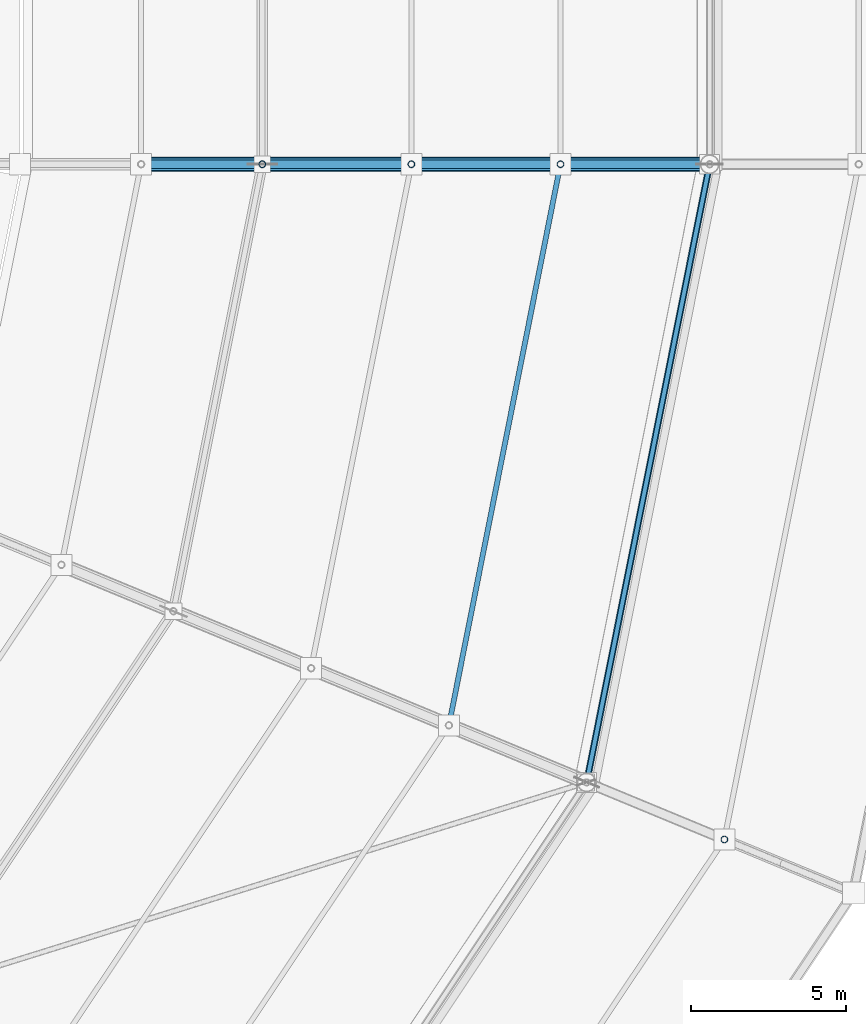
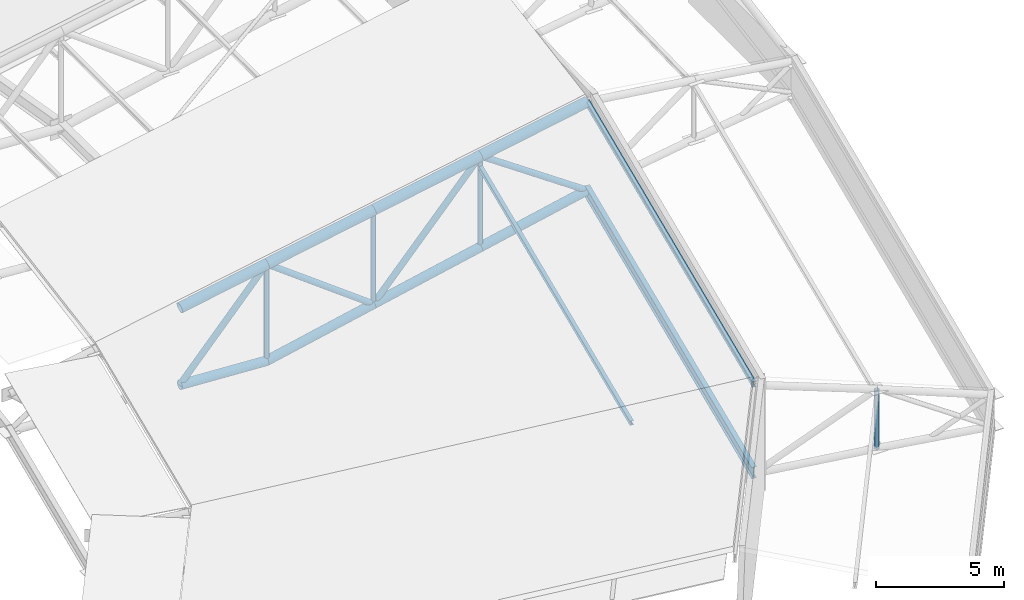
# One storey, part 71 of 146: 17 members, 2 beams.
"""IFC4 building model written with IfcOpenShell, lengths in metres."""

from ifc_helpers import new_model, si_unit, direction, frame, origin, origin_2d, place, context, subcontext, project, spatial, hollow_circle, i_section, extrude, material, material_profile, profile_set, type_object, element, save


model = new_model("IFC4")

# Units and contexts
model_context = context("Model", 3, precision=1e-05, world=origin(), true_north=direction((0.0, 1.0)))
body_context = subcontext(model_context, "Body", "Model", "MODEL_VIEW")
ifc_project = project(units=[si_unit("LENGTHUNIT", "METRE"), si_unit("AREAUNIT", "SQUARE_METRE"), si_unit("VOLUMEUNIT", "CUBIC_METRE"), si_unit("PLANEANGLEUNIT", "RADIAN"), si_unit("MASSUNIT", "GRAM", prefix="KILO")], contexts=[model_context])

# Site, building, storey
site_placement = place(None, origin())
site = spatial("IfcSite", under=ifc_project, at=site_placement, CompositionType="ELEMENT")
building_placement = place(site_placement, origin())
building = spatial("IfcBuilding", under=site, at=building_placement, Name="Candeia Ridge Stadium", CompositionType="ELEMENT")
storey_placement = place(building_placement, frame((0.0, 0.0, 31.800048828125)))
storey = spatial("IfcBuildingStorey", under=building, at=storey_placement, Name="RF", CompositionType="ELEMENT", Elevation=31.800048828125)

# Beams
ifc_material = material(Name="Steel ASTM A572 Grade 50", Category="steel")
ifc_material_profile_1 = material_profile(ifc_material, i_section(OverallWidth=0.14794921875, OverallDepth=0.26611328125, WebThickness=0.007568359375, FlangeThickness=0.012939453125, FilletRadius=0.010986328125, at=origin_2d()), Name="W250x44.8", Category="steel")
ifc_profile_set_1 = profile_set([ifc_material_profile_1], Name="Steel ASTM A572 Grade 50")
beam_type_1 = type_object("IfcBeamType", Name="Canopy Edge Spandrel W250x44.8", PredefinedType="SPANDREL", material=ifc_profile_set_1)
beam_1_placement = place(storey_placement, frame((189.049560546875, 51.1396484375, 4.599853515625), z_axis=(0.195089178874, 0.980785507788, 0.0), x_axis=(-0.980785507788, 0.195089178874, 0.0)))
element("IfcBeam", 1, at=beam_1_placement, inside=storey, type_object=beam_type_1, Name="Roof crown cap ring beam bay 29", PredefinedType="SPANDREL", context=body_context, shape_type="SweptSolid", body=[
    extrude(i_section(OverallWidth=0.14794921875, OverallDepth=0.26611328125, WebThickness=0.007568359375, FlangeThickness=0.012939453125, FilletRadius=0.010986328125, at=origin_2d()), origin(), (0.0, 0.0, 1.0), 20.20947265625),
])
ifc_material_profile_2 = material_profile(ifc_material, i_section(OverallWidth=0.2119140625, OverallDepth=0.5439453125, WebThickness=0.01318359375, FlangeThickness=0.021240234375, FilletRadius=0.013916015625, at=origin_2d()), Name="W530x123", Category="steel")
ifc_profile_set_2 = profile_set([ifc_material_profile_2], Name="Steel ASTM A572 Grade 50")
beam_type_2 = type_object("IfcBeamType", Name="Roof Perimeter Ring Beam W530x123", PredefinedType="BEAM", material=ifc_profile_set_2)
beam_2_placement = place(storey_placement, frame((189.049560546875, 51.1396484375, 0.39990234375), z_axis=(0.195089178874, 0.980785507788, 0.0), x_axis=(-0.980785507788, 0.195089178874, 0.0)))
element("IfcBeam", 2, at=beam_2_placement, inside=storey, type_object=beam_type_2, Name="Roof perimeter ring beam bay 29", PredefinedType="BEAM", context=body_context, shape_type="SweptSolid", body=[
    extrude(i_section(OverallWidth=0.2119140625, OverallDepth=0.5439453125, WebThickness=0.01318359375, FlangeThickness=0.021240234375, FilletRadius=0.013916015625, at=origin_2d()), origin(), (0.0, 0.0, 1.0), 20.20947265625),
])

# Members
ifc_material_profile_3 = material_profile(ifc_material, i_section(OverallWidth=0.1650390625, OverallDepth=0.200927734375, WebThickness=0.006103515625, FlangeThickness=0.01025390625, FilletRadius=0.010009765625, at=origin_2d()), Name="W200x35.9", Category="steel")
ifc_profile_set_3 = profile_set([ifc_material_profile_3], Name="Steel ASTM A572 Grade 50")
member_type_1 = type_object("IfcMemberType", Name="Roof Purlin W200x35.9", PredefinedType="PURLIN", material=ifc_profile_set_3)
member_1_placement = place(storey_placement, frame((184.616943359375, 52.986328125, 3.19189453125), z_axis=(0.19508302995, 0.980786730857, 0.0), x_axis=(-0.980786730857, 0.19508302995, 0.0)))
element("IfcMember", 3, at=member_1_placement, inside=storey, type_object=member_type_1, Name="Saddle roof steel purlin bay 29-4", PredefinedType="PURLIN", context=body_context, shape_type="SweptSolid", body=[
    extrude(i_section(OverallWidth=0.1650390625, OverallDepth=0.200927734375, WebThickness=0.006103515625, FlangeThickness=0.01025390625, FilletRadius=0.010009765625, at=origin_2d()), origin(), (0.0, 0.0, 1.0), 18.31640625),
])
ifc_material_profile_4 = material_profile(ifc_material, hollow_circle(Radius=0.136474609375, WallThickness=0.010009765625, at=origin_2d()), Name="CHS273x10", Category="steel")
ifc_profile_set_4 = profile_set([ifc_material_profile_4], Name="Steel ASTM A572 Grade 50")
member_type_2 = type_object("IfcMemberType", Name="Roof Truss Heavy Web Brace CHS273x10", PredefinedType="BRACE", material=ifc_profile_set_4)
member_2_placement = place(storey_placement, frame((174.699951171875, 71.0, -2.444091796875), z_axis=(0.665001791652, 0.0, 0.746841761754), x_axis=(0.0, 1.0, 0.0)))
element("IfcMember", 4, at=member_2_placement, inside=storey, type_object=member_type_2, Name="Roof cantilever truss RT-30 diagonal web 3", PredefinedType="BRACE", context=body_context, shape_type="SweptSolid", body=[
    extrude(hollow_circle(Radius=0.136474609375, WallThickness=0.010009765625, at=origin_2d()), origin(), (0.0, 0.0, 1.0), 5.86474609375),
])
member_3_placement = place(storey_placement, frame((178.60009765625, 71.0, 1.93603515625), z_axis=(0.801680135344, 0.0, -0.597753260631), x_axis=(0.0, 1.0, 0.0)))
element("IfcMember", 5, at=member_3_placement, inside=storey, type_object=member_type_2, Name="Roof cantilever truss RT-30 diagonal web 4", PredefinedType="BRACE", context=body_context, shape_type="SweptSolid", body=[
    extrude(hollow_circle(Radius=0.136474609375, WallThickness=0.010009765625, at=origin_2d()), origin(), (0.0, 0.0, 1.0), 5.987060546875),
])
member_4_placement = place(storey_placement, frame((183.39990234375, 71.0, -1.642822265625), z_axis=(0.667487252066, 0.0, 0.744621224737), x_axis=(0.0, 1.0, 0.0)))
element("IfcMember", 6, at=member_4_placement, inside=storey, type_object=member_type_2, Name="Roof cantilever truss RT-30 diagonal web 5", PredefinedType="BRACE", context=body_context, shape_type="SweptSolid", body=[
    extrude(hollow_circle(Radius=0.136474609375, WallThickness=0.010009765625, at=origin_2d()), origin(), (0.0, 0.0, 1.0), 7.191162109375),
])
member_5_placement = place(storey_placement, frame((188.199951171875, 71.0, 3.7119140625), z_axis=(0.823081876777, 0.0, -0.567922727245), x_axis=(0.0, 1.0, 0.0)))
element("IfcMember", 7, at=member_5_placement, inside=storey, type_object=member_type_2, Name="Roof cantilever truss RT-30 diagonal web 6", PredefinedType="BRACE", context=body_context, shape_type="SweptSolid", body=[
    extrude(hollow_circle(Radius=0.136474609375, WallThickness=0.010009765625, at=origin_2d()), origin(), (0.0, 0.0, 1.0), 5.831787109375),
])
ifc_material_profile_5 = material_profile(ifc_material, hollow_circle(Radius=0.109619140625, WallThickness=0.010009765625, at=origin_2d()), Name="CHS219x10", Category="steel")
ifc_profile_set_5 = profile_set([ifc_material_profile_5], Name="Steel ASTM A572 Grade 50")
member_type_3 = type_object("IfcMemberType", Name="Roof Truss Inner Web Brace CHS219x10", PredefinedType="BRACE", material=ifc_profile_set_5)
member_6_placement = place(storey_placement, frame((193.476318359375, 49.263671875, 1.15185546875), z_axis=(0.0, 0.0, 1.0), x_axis=(1.0, 0.0, 0.0)))
element("IfcMember", 8, at=member_6_placement, inside=storey, type_object=member_type_3, Name="Roof cantilever truss RT-29 vertical post 7", PredefinedType="BRACE", context=body_context, shape_type="SweptSolid", body=[
    extrude(hollow_circle(Radius=0.109619140625, WallThickness=0.010009765625, at=origin_2d()), origin(), (0.0, 0.0, 1.0), 2.806396484375),
])
member_7_placement = place(storey_placement, frame((178.60009765625, 71.0, -2.6640625), z_axis=(0.0, 0.0, 1.0), x_axis=(1.0, 0.0, 0.0)))
element("IfcMember", 9, at=member_7_placement, inside=storey, type_object=member_type_3, Name="Roof cantilever truss RT-30 vertical post 3", PredefinedType="BRACE", context=body_context, shape_type="SweptSolid", body=[
    extrude(hollow_circle(Radius=0.109619140625, WallThickness=0.010009765625, at=origin_2d()), origin(), (0.0, 0.0, 1.0), 4.60009765625),
])
member_8_placement = place(storey_placement, frame((183.39990234375, 71.0, -1.642822265625), z_axis=(0.0, 0.0, 1.0), x_axis=(1.0, 0.0, 0.0)))
element("IfcMember", 10, at=member_8_placement, inside=storey, type_object=member_type_3, Name="Roof cantilever truss RT-30 vertical post 4", PredefinedType="BRACE", context=body_context, shape_type="SweptSolid", body=[
    extrude(hollow_circle(Radius=0.109619140625, WallThickness=0.010009765625, at=origin_2d()), origin(), (0.0, 0.0, 1.0), 4.466796875),
])
member_9_placement = place(storey_placement, frame((188.199951171875, 71.0, -0.621337890625), z_axis=(0.0, 0.0, 1.0), x_axis=(1.0, 0.0, 0.0)))
element("IfcMember", 11, at=member_9_placement, inside=storey, type_object=member_type_3, Name="Roof cantilever truss RT-30 vertical post 5", PredefinedType="BRACE", context=body_context, shape_type="SweptSolid", body=[
    extrude(hollow_circle(Radius=0.109619140625, WallThickness=0.010009765625, at=origin_2d()), origin(), (0.0, 0.0, 1.0), 4.333251953125),
])
ifc_material_profile_6 = material_profile(ifc_material, hollow_circle(Radius=0.228515625, WallThickness=0.02001953125, at=origin_2d()), Name="CHS457x20", Category="steel")
ifc_profile_set_6 = profile_set([ifc_material_profile_6], Name="Steel ASTM A572 Grade 50")
member_type_4 = type_object("IfcMemberType", Name="Roof Truss Main Chord CHS457x20", PredefinedType="CHORD", material=ifc_profile_set_6)
member_10_placement = place(storey_placement, frame((174.699951171875, 71.0, 1.21435546875), z_axis=(0.983307710254, 0.0, 0.181950396965), x_axis=(0.0, 1.0, 0.0)))
element("IfcMember", 12, at=member_10_placement, inside=storey, type_object=member_type_4, Name="Roof cantilever truss RT-30 top chord 3", PredefinedType="CHORD", context=body_context, shape_type="SweptSolid", body=[
    extrude(hollow_circle(Radius=0.228515625, WallThickness=0.02001953125, at=origin_2d()), origin(), (0.0, 0.0, 1.0), 3.96630859375),
])
member_11_placement = place(storey_placement, frame((178.60009765625, 71.0, 1.93603515625), z_axis=(0.983315487156, 0.0, 0.181908363519), x_axis=(0.0, 1.0, 0.0)))
element("IfcMember", 13, at=member_11_placement, inside=storey, type_object=member_type_4, Name="Roof cantilever truss RT-30 top chord 4", PredefinedType="CHORD", context=body_context, shape_type="SweptSolid", body=[
    extrude(hollow_circle(Radius=0.228515625, WallThickness=0.02001953125, at=origin_2d()), origin(), (0.0, 0.0, 1.0), 4.88134765625),
])
for number, where, z_axis, x_axis, name in (
    (14, (183.39990234375, 71.0, 2.823974609375), (0.983317142098, 0.0, 0.181899417416), (0.0, 1.0, 0.0), "Roof cantilever truss RT-30 top chord 5"),
    (15, (188.199951171875, 71.0, 3.7119140625), (0.983317142098, 0.0, 0.181899417416), (0.0, 1.0, 0.0), "Roof cantilever truss RT-30 top chord 6"),
):
    element("IfcMember", number, at=place(storey_placement, frame(where, z_axis=z_axis, x_axis=x_axis)), inside=storey, type_object=member_type_4, Name=name, PredefinedType="CHORD", context=body_context, shape_type="SweptSolid", body=[
        extrude(hollow_circle(Radius=0.228515625, WallThickness=0.02001953125, at=origin_2d()), origin(), (0.0, 0.0, 1.0), 4.881591796875),
    ])
ifc_material_profile_7 = material_profile(ifc_material, hollow_circle(Radius=0.202880859375, WallThickness=0.01611328125, at=origin_2d()), Name="CHS406x16", Category="steel")
ifc_profile_set_7 = profile_set([ifc_material_profile_7], Name="Steel ASTM A572 Grade 50")
member_type_5 = type_object("IfcMemberType", Name="Roof Truss Outer Chord CHS406x16", PredefinedType="CHORD", material=ifc_profile_set_7)
member_12_placement = place(storey_placement, frame((174.699951171875, 71.0, -2.444091796875), z_axis=(0.998413269272, 0.0, -0.056311133372), x_axis=(0.0, 1.0, 0.0)))
element("IfcMember", 16, at=member_12_placement, inside=storey, type_object=member_type_5, Name="Roof cantilever truss RT-30 bottom chord 3", PredefinedType="CHORD", context=body_context, shape_type="SweptSolid", body=[
    extrude(hollow_circle(Radius=0.202880859375, WallThickness=0.01611328125, at=origin_2d()), origin(), (0.0, 0.0, 1.0), 3.90625),
])
member_13_placement = place(storey_placement, frame((178.60009765625, 71.0, -2.6640625), z_axis=(0.978105713519, 0.0, 0.208108657154), x_axis=(0.0, 1.0, 0.0)))
element("IfcMember", 17, at=member_13_placement, inside=storey, type_object=member_type_5, Name="Roof cantilever truss RT-30 bottom chord 4", PredefinedType="CHORD", context=body_context, shape_type="SweptSolid", body=[
    extrude(hollow_circle(Radius=0.202880859375, WallThickness=0.01611328125, at=origin_2d()), origin(), (0.0, 0.0, 1.0), 4.9072265625),
])
for number, where, z_axis, x_axis, name in (
    (18, (183.39990234375, 71.0, -1.642822265625), (0.978097741011, 0.0, 0.208146124225), (0.0, 1.0, 0.0), "Roof cantilever truss RT-30 bottom chord 5"),
    (19, (188.199951171875, 71.0, -0.621337890625), (0.97810786804, 0.0, 0.208098530696), (0.0, 1.0, 0.0), "Roof cantilever truss RT-30 bottom chord 6"),
):
    element("IfcMember", number, at=place(storey_placement, frame(where, z_axis=z_axis, x_axis=x_axis)), inside=storey, type_object=member_type_5, Name=name, PredefinedType="CHORD", context=body_context, shape_type="SweptSolid", body=[
        extrude(hollow_circle(Radius=0.202880859375, WallThickness=0.01611328125, at=origin_2d()), origin(), (0.0, 0.0, 1.0), 4.907470703125),
    ])

save(model, "model.ifc")
